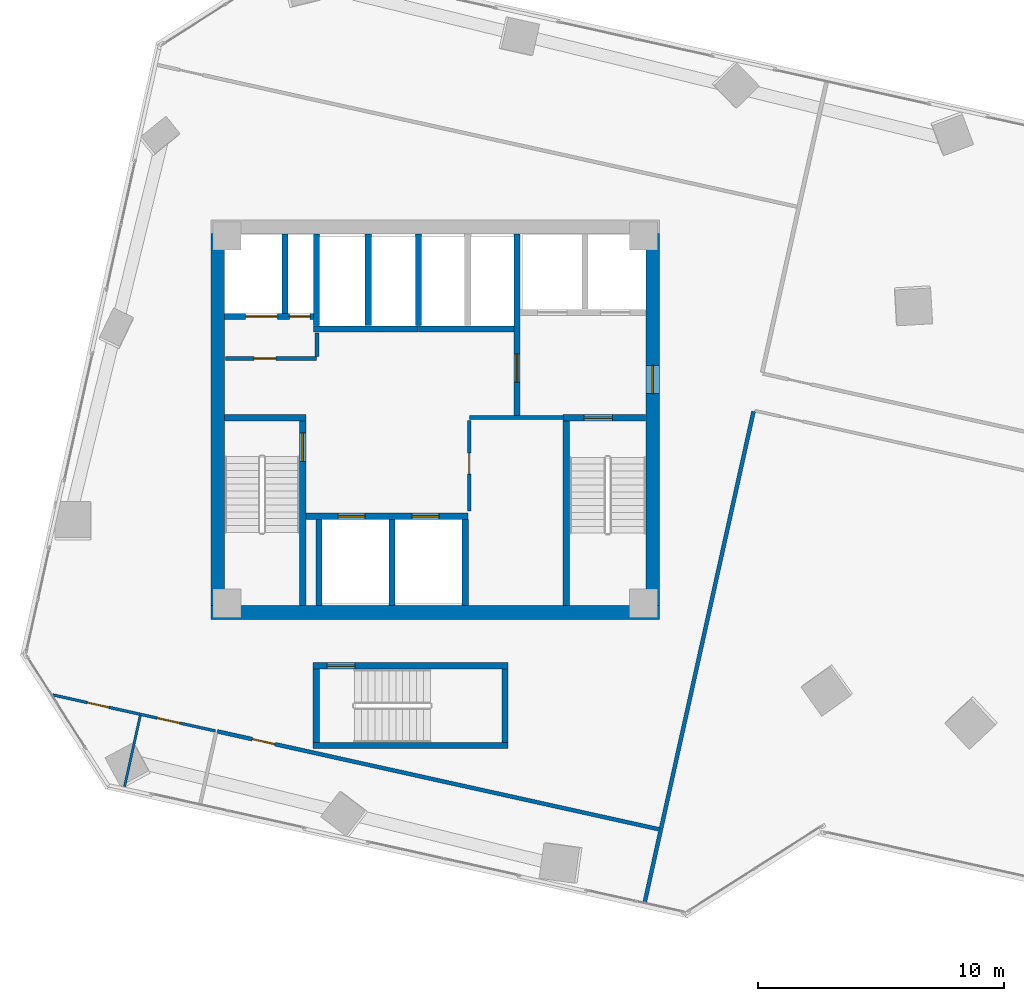
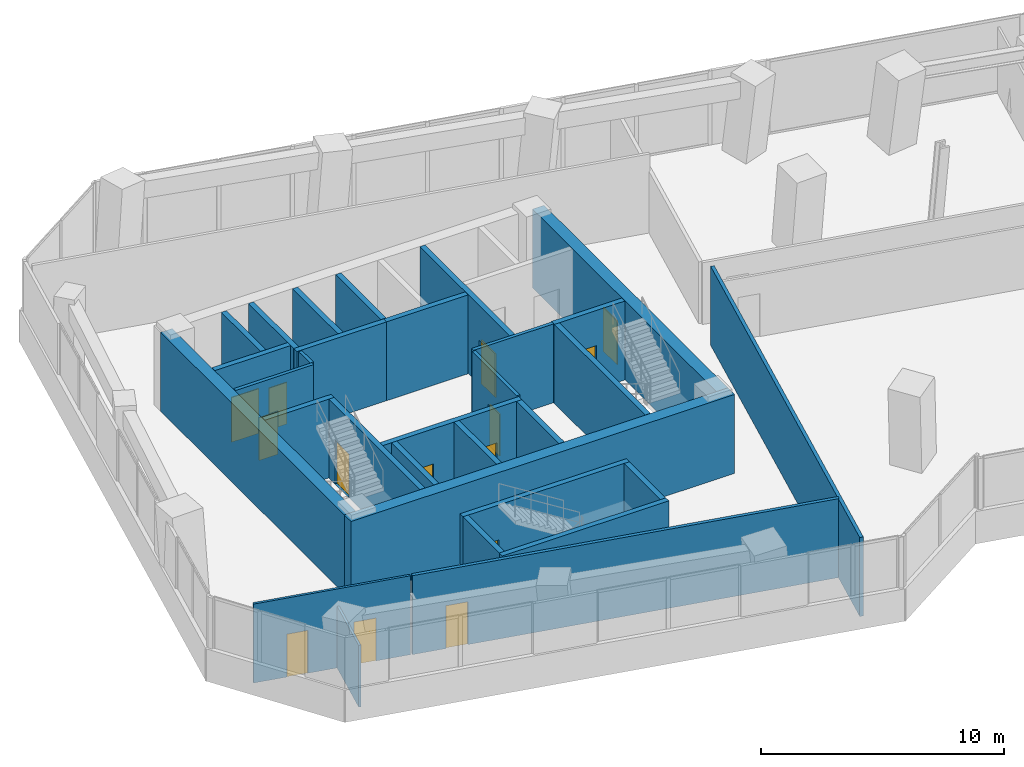
# One storey, part 20 of 25: 31 walls, 14 doors, 14 openings.
"""IFC4 building model written with IfcOpenShell, lengths in metres."""

from ifc_helpers import new_model, si_unit, direction, frame, frame_2d, origin, place, context, subcontext, project, spatial, rectangle, extrude, source, transform, mapped, material, layer, layer_set, type_object, element, fill, save


model = new_model("IFC4")

# Units and contexts
model_context = context("Model", 3, precision=1e-05, world=origin(), true_north=direction((0.0, 1.0)))
body_context = subcontext(model_context, "Body", "Model", "MODEL_VIEW")
ifc_project = project(units=[si_unit("LENGTHUNIT", "METRE"), si_unit("AREAUNIT", "SQUARE_METRE"), si_unit("VOLUMEUNIT", "CUBIC_METRE"), si_unit("PLANEANGLEUNIT", "RADIAN"), si_unit("MASSUNIT", "GRAM", prefix="KILO")], contexts=[model_context])

# Site, building, storey
site_placement = place(None, origin())
site = spatial("IfcSite", under=ifc_project, at=site_placement, CompositionType="ELEMENT")
building_placement = place(site_placement, origin())
building = spatial("IfcBuilding", under=site, at=building_placement, Name="Torre Montelarca", CompositionType="ELEMENT")
storey_placement = place(building_placement, frame((0.0, 0.0, 91.60009765625)))
storey = spatial("IfcBuildingStorey", under=building, at=storey_placement, Name="L20", CompositionType="ELEMENT", Elevation=91.60009765625)

# Wall, opening, door
ifc_material_1 = material(Name="Concrete C40/50", Category="concrete")
ifc_layer_1 = layer(ifc_material_1, 0.25, Name="Concrete C40/50", Category="concrete")
ifc_layer_set_1 = layer_set([ifc_layer_1], Name="Concrete C40/50")
wall_type_1 = type_object("IfcWallType", Name="CW-SHAFT-250", PredefinedType="SHEAR", material=ifc_layer_set_1)
wall_1_placement = place(storey_placement, frame((12.625, 24.4599609375, 0.0), z_axis=(0.0, 0.0, 1.0), x_axis=(0.0, 1.0, 0.0)))
wall_1 = element("IfcWall", 1, at=wall_1_placement, inside=storey, type_object=wall_type_1, Name="L20 Core Shear Wall SH-ST1-E", PredefinedType="SHEAR", context=body_context, shape_type="SweptSolid", body=[
    extrude(rectangle(XDim=7.489990234375, YDim=0.25, at=frame_2d((3.7451171875, 0.0))), origin(), (0.0, 0.0, 1.0), 3.9599609375),
])
opening_1_placement = place(wall_1_placement, frame((5.85009765625, 0.0, 0.0)))
opening_1 = element("IfcOpeningElement", 2, at=opening_1_placement, cuts=wall_1, Name="Opening FD-ST1", PredefinedType="OPENING", context=body_context, shape_type="SweptSolid", body=[
    extrude(rectangle(XDim=1.14990234375, YDim=2.199951171875, at=frame_2d((0.574951171875, 1.10009765625))), frame((0.0, 0.135009765625, 0.0), z_axis=(0.0, -1.0, 0.0), x_axis=(1.0, 0.0, 0.0)), (0.0, 0.0, 1.0), 0.27001953125),
])
ifc_material_2 = material(Name="Galvanized steel fire door", Category="steel")
door_type_1 = type_object("IfcDoorType", Name="DR-STAIR-115", OperationType="NOTDEFINED", PredefinedType="DOOR", material=ifc_material_2)
shared_shape_1 = source(origin(), body_context, "Body", "SweptSolid", [
    extrude(rectangle(XDim=1.14990234375, YDim=2.199951171875, at=frame_2d((0.574951171875, 1.10009765625))), frame((0.0, 0.02490234375, 0.0), z_axis=(0.0, -1.0, 0.0), x_axis=(1.0, 0.0, 0.0)), (0.0, 0.0, 1.0), 0.050048828125),
])
door_1_placement = place(opening_1_placement, origin())
door_1 = element("IfcDoor", 3, at=door_1_placement, inside=storey, type_object=door_type_1, Name="L20 Exit Stair ST1 Fire Door", OperationType="SINGLE_SWING_RIGHT", OverallHeight=2.199951171875, OverallWidth=1.14990234375, PredefinedType="DOOR", context=body_context, shape_type="MappedRepresentation", body=[
    mapped(shared_shape_1, transform((0.0, 0.0, 0.0), scale=1.0)),
])
fill(opening_1, door_1)

# Walls
wall_2_placement = place(storey_placement, frame((9.4599609375, 32.074951171875, 0.0), z_axis=(0.0, 0.0, 1.0), x_axis=(1.0, 0.0, 0.0)))
element("IfcWall", 4, at=wall_2_placement, inside=storey, type_object=wall_type_1, Name="L20 Core Shear Wall SH-ST1-N", PredefinedType="SHEAR", context=body_context, shape_type="SweptSolid", body=[
    extrude(rectangle(XDim=3.2900390625, YDim=0.25, at=frame_2d((1.64501953125, 0.0))), origin(), (0.0, 0.0, 1.0), 3.9599609375),
])
wall_3_placement = place(storey_placement, frame((23.31494140625, 24.4599609375, 0.0), z_axis=(0.0, 0.0, 1.0), x_axis=(0.0, 1.0, 0.0)))
element("IfcWall", 5, at=wall_3_placement, inside=storey, type_object=wall_type_1, Name="L20 Core Shear Wall SH-ST2-W", PredefinedType="SHEAR", context=body_context, shape_type="SweptSolid", body=[
    extrude(rectangle(XDim=7.489990234375, YDim=0.25, at=frame_2d((3.7451171875, 0.0))), origin(), (0.0, 0.0, 1.0), 3.9599609375),
])

# Wall, opening, door
wall_4_placement = place(storey_placement, frame((23.18994140625, 32.074951171875, 0.0), z_axis=(0.0, 0.0, 1.0), x_axis=(1.0, 0.0, 0.0)))
wall_4 = element("IfcWall", 6, at=wall_4_placement, inside=storey, type_object=wall_type_1, Name="L20 Core Shear Wall SH-ST2-N", PredefinedType="SHEAR", context=body_context, shape_type="SweptSolid", body=[
    extrude(rectangle(XDim=3.35009765625, YDim=0.25, at=frame_2d((1.675048828125, 0.0))), origin(), (0.0, 0.0, 1.0), 3.9599609375),
])
opening_2_placement = place(wall_4_placement, frame((0.85009765625, 0.0, 0.0)))
opening_2 = element("IfcOpeningElement", 7, at=opening_2_placement, cuts=wall_4, Name="Opening FD-ST1", PredefinedType="OPENING", context=body_context, shape_type="SweptSolid", body=[
    extrude(rectangle(XDim=1.14990234375, YDim=2.199951171875, at=frame_2d((0.574951171875, 1.10009765625))), frame((0.0, 0.135009765625, 0.0), z_axis=(0.0, -1.0, 0.0), x_axis=(1.0, 0.0, 0.0)), (0.0, 0.0, 1.0), 0.27001953125),
])
door_2_placement = place(opening_2_placement, origin())
door_2 = element("IfcDoor", 8, at=door_2_placement, inside=storey, type_object=door_type_1, Name="L20 Exit Stair ST2 Fire Door", OperationType="SINGLE_SWING_RIGHT", OverallHeight=2.199951171875, OverallWidth=1.14990234375, PredefinedType="DOOR", context=body_context, shape_type="MappedRepresentation", body=[
    mapped(shared_shape_1, transform((0.0, 0.0, 0.0), scale=1.0)),
])
fill(opening_2, door_2)

wall_5_placement = place(storey_placement, frame((21.320068359375, 32.1201171875, 0.0), z_axis=(0.0, 0.0, 1.0), x_axis=(0.0, 1.0, 0.0)))
wall_5 = element("IfcWall", 9, at=wall_5_placement, inside=storey, type_object=wall_type_1, Name="L20 Core Shear Wall SH-FFL-W", PredefinedType="SHEAR", context=body_context, shape_type="SweptSolid", body=[
    extrude(rectangle(XDim=7.419921875, YDim=0.25, at=frame_2d((3.7099609375, 0.0))), origin(), (0.0, 0.0, 1.0), 3.9599609375),
])
opening_3_placement = place(wall_5_placement, frame((1.39990234375, 0.0, 0.0)))
opening_3 = element("IfcOpeningElement", 10, at=opening_3_placement, cuts=wall_5, Name="Opening FD-LB1", PredefinedType="OPENING", context=body_context, shape_type="SweptSolid", body=[
    extrude(rectangle(XDim=1.14990234375, YDim=2.199951171875, at=frame_2d((0.574951171875, 1.10009765625))), frame((0.0, 0.135009765625, 0.0), z_axis=(0.0, -1.0, 0.0), x_axis=(1.0, 0.0, 0.0)), (0.0, 0.0, 1.0), 0.27001953125),
])
ifc_material_3 = material(Name="Acoustic timber-veneered fire door", Category="wood")
door_type_2 = type_object("IfcDoorType", Name="DR-LOBBY-115", OperationType="NOTDEFINED", PredefinedType="DOOR", material=ifc_material_3)
shared_shape_2 = source(origin(), body_context, "Body", "SweptSolid", [
    extrude(rectangle(XDim=1.14990234375, YDim=2.199951171875, at=frame_2d((0.574951171875, 1.10009765625))), frame((0.0, 0.02490234375, 0.0), z_axis=(0.0, -1.0, 0.0), x_axis=(1.0, 0.0, 0.0)), (0.0, 0.0, 1.0), 0.050048828125),
])
door_3_placement = place(opening_3_placement, origin())
door_3 = element("IfcDoor", 11, at=door_3_placement, inside=storey, type_object=door_type_2, Name="L20 Lift Lobby to Firefighting Lobby Smoke Door", OperationType="SINGLE_SWING_LEFT", OverallHeight=2.199951171875, OverallWidth=1.14990234375, PredefinedType="DOOR", context=body_context, shape_type="MappedRepresentation", body=[
    mapped(shared_shape_2, transform((0.0, 0.0, 0.0), scale=1.0)),
])
fill(opening_3, door_3)

# Wall, openings, doors
wall_6_placement = place(storey_placement, frame((9.4599609375, 36.179931640625, 0.0), z_axis=(0.0, 0.0, 1.0), x_axis=(1.0, 0.0, 0.0)))
wall_6 = element("IfcWall", 12, at=wall_6_placement, inside=storey, type_object=wall_type_1, Name="L20 Core Shear Wall SH-SV1-S", PredefinedType="SHEAR", context=body_context, shape_type="SweptSolid", body=[
    extrude(rectangle(XDim=3.7900390625, YDim=0.25, at=frame_2d((1.89501953125, 0.0))), origin(), (0.0, 0.0, 1.0), 3.9599609375),
])
opening_4_placement = place(wall_6_placement, frame((2.6201171875, 0.0, 0.0)))
opening_4 = element("IfcOpeningElement", 13, at=opening_4_placement, cuts=wall_6, Name="Opening FD-085", PredefinedType="OPENING", context=body_context, shape_type="SweptSolid", body=[
    extrude(rectangle(XDim=0.85009765625, YDim=2.10009765625, at=frame_2d((0.425048828125, 1.050048828125))), frame((0.0, 0.135009765625, 0.0), z_axis=(0.0, -1.0, 0.0), x_axis=(1.0, 0.0, 0.0)), (0.0, 0.0, 1.0), 0.27001953125),
])
opening_5_placement = place(wall_6_placement, frame((0.85009765625, 0.0, 0.0)))
opening_5 = element("IfcOpeningElement", 14, at=opening_5_placement, cuts=wall_6, Name="Opening LD-130", PredefinedType="OPENING", context=body_context, shape_type="SweptSolid", body=[
    extrude(rectangle(XDim=1.300048828125, YDim=2.25, at=frame_2d((0.64990234375, 1.125))), frame((0.0, 0.135009765625, 0.0), z_axis=(0.0, -1.0, 0.0), x_axis=(1.0, 0.0, 0.0)), (0.0, 0.0, 1.0), 0.27001953125),
])
ifc_material_4 = material(Name="Steel riser access fire door", Category="steel")
door_type_3 = type_object("IfcDoorType", Name="DR-RISER-085", OperationType="NOTDEFINED", PredefinedType="DOOR", material=ifc_material_4)
shared_shape_3 = source(origin(), body_context, "Body", "SweptSolid", [
    extrude(rectangle(XDim=0.85009765625, YDim=2.10009765625, at=frame_2d((0.425048828125, 1.050048828125))), frame((0.0, 0.02490234375, 0.0), z_axis=(0.0, -1.0, 0.0), x_axis=(1.0, 0.0, 0.0)), (0.0, 0.0, 1.0), 0.050048828125),
])
door_4_placement = place(opening_4_placement, origin())
door_4 = element("IfcDoor", 15, at=door_4_placement, inside=storey, type_object=door_type_3, Name="L20 Electrical Riser Shaft Access Door", OperationType="SINGLE_SWING_RIGHT", OverallHeight=2.10009765625, OverallWidth=0.85009765625, PredefinedType="DOOR", context=body_context, shape_type="MappedRepresentation", body=[
    mapped(shared_shape_3, transform((0.0, 0.0, 0.0), scale=1.0)),
])
fill(opening_4, door_4)
ifc_material_5 = material(Name="Brushed stainless steel AISI 316", Category="steel")
door_type_4 = type_object("IfcDoorType", Name="DR-LIFT-130", OperationType="SLIDING_TO_LEFT", PredefinedType="DOOR", material=ifc_material_5)
shared_shape_4 = source(origin(), body_context, "Body", "SweptSolid", [
    extrude(rectangle(XDim=1.300048828125, YDim=2.25, at=frame_2d((0.64990234375, 1.125))), frame((0.0, 0.02490234375, 0.0), z_axis=(0.0, -1.0, 0.0), x_axis=(1.0, 0.0, 0.0)), (0.0, 0.0, 1.0), 0.050048828125),
])
door_5_placement = place(opening_5_placement, origin())
door_5 = element("IfcDoor", 16, at=door_5_placement, inside=storey, type_object=door_type_4, Name="L20 Lift Landing Sliding Door SV-1", OperationType="SLIDING_TO_LEFT", OverallHeight=2.25, OverallWidth=1.300048828125, PredefinedType="DOOR", context=body_context, shape_type="MappedRepresentation", body=[
    mapped(shared_shape_4, transform((0.0, 0.0, 0.0), scale=1.0)),
])
fill(opening_5, door_5)

# Wall
wall_7_placement = place(storey_placement, frame((11.89990234375, 36.31005859375, 0.0), z_axis=(0.0, 0.0, 1.0), x_axis=(0.0, 1.0, 0.0)))
element("IfcWall", 17, at=wall_7_placement, inside=storey, type_object=wall_type_1, Name="L20 Core Shear Wall SH-SV1-E", PredefinedType="SHEAR", context=body_context, shape_type="SweptSolid", body=[
    extrude(rectangle(XDim=3.22998046875, YDim=0.25, at=frame_2d((1.614990234375, 0.0))), origin(), (0.0, 0.0, 1.0), 3.9599609375),
])

# Wall, openings, doors
wall_8_placement = place(storey_placement, frame((12.6298828125, 28.080078125, 0.0), z_axis=(0.0, 0.0, 1.0), x_axis=(1.0, 0.0, 0.0)))
wall_8 = element("IfcWall", 18, at=wall_8_placement, inside=storey, type_object=wall_type_1, Name="L20 Core Shear Wall SH-PLL-N", PredefinedType="SHEAR", context=body_context, shape_type="SweptSolid", body=[
    extrude(rectangle(XDim=6.710205078125, YDim=0.25, at=frame_2d((3.35498046875, 0.0))), origin(), (0.0, 0.0, 1.0), 3.9599609375),
])
opening_6_placement = place(wall_8_placement, frame((1.429931640625, 0.0, 0.0)))
opening_6 = element("IfcOpeningElement", 19, at=opening_6_placement, cuts=wall_8, Name="Opening LD-110", PredefinedType="OPENING", context=body_context, shape_type="SweptSolid", body=[
    extrude(rectangle(XDim=1.10009765625, YDim=2.199951171875, at=frame_2d((0.550048828125, 1.10009765625))), frame((0.0, 0.135009765625, 0.0), z_axis=(0.0, -1.0, 0.0), x_axis=(1.0, 0.0, 0.0)), (0.0, 0.0, 1.0), 0.27001953125),
])
opening_7_placement = place(wall_8_placement, frame((4.429931640625, 0.0, 0.0)))
opening_7 = element("IfcOpeningElement", 20, at=opening_7_placement, cuts=wall_8, Name="Opening LD-110", PredefinedType="OPENING", context=body_context, shape_type="SweptSolid", body=[
    extrude(rectangle(XDim=1.10009765625, YDim=2.199951171875, at=frame_2d((0.550048828125, 1.10009765625))), frame((0.0, 0.135009765625, 0.0), z_axis=(0.0, -1.0, 0.0), x_axis=(1.0, 0.0, 0.0)), (0.0, 0.0, 1.0), 0.27001953125),
])
door_type_5 = type_object("IfcDoorType", Name="DR-LIFT-110", OperationType="SLIDING_TO_LEFT", PredefinedType="DOOR", material=ifc_material_5)
shared_shape_5 = source(origin(), body_context, "Body", "SweptSolid", [
    extrude(rectangle(XDim=1.10009765625, YDim=2.199951171875, at=frame_2d((0.550048828125, 1.10009765625))), frame((0.0, 0.02490234375, 0.0), z_axis=(0.0, -1.0, 0.0), x_axis=(1.0, 0.0, 0.0)), (0.0, 0.0, 1.0), 0.050048828125),
])
door_6_placement = place(opening_6_placement, origin())
door_6 = element("IfcDoor", 21, at=door_6_placement, inside=storey, type_object=door_type_5, Name="L20 Lift Landing Sliding Door PL-L1", OperationType="SLIDING_TO_LEFT", OverallHeight=2.199951171875, OverallWidth=1.10009765625, PredefinedType="DOOR", context=body_context, shape_type="MappedRepresentation", body=[
    mapped(shared_shape_5, transform((0.0, 0.0, 0.0), scale=1.0)),
])
fill(opening_6, door_6)
door_7_placement = place(opening_7_placement, origin())
door_7 = element("IfcDoor", 22, at=door_7_placement, inside=storey, type_object=door_type_5, Name="L20 Lift Landing Sliding Door PL-L2", OperationType="SLIDING_TO_RIGHT", OverallHeight=2.199951171875, OverallWidth=1.10009765625, PredefinedType="DOOR", context=body_context, shape_type="MappedRepresentation", body=[
    mapped(shared_shape_5, transform((0.0, 0.0, 0.0), scale=1.0)),
])
fill(opening_7, door_7)

# Walls
for number, where, z_axis, x_axis, name in (
    (23, (13.280029296875, 24.4599609375, 0.0), (0.0, 0.0, 1.0), (0.0, 1.0, 0.0), "L20 Core Shear Wall SH-PLL-W"),
    (24, (16.25, 24.4599609375, 0.0), (0.0, 0.0, 1.0), (0.0, 1.0, 0.0), "L20 Core Shear Wall SH-PLL-M"),
    (25, (19.219970703125, 24.4599609375, 0.0), (0.0, 0.0, 1.0), (0.0, 1.0, 0.0), "L20 Core Shear Wall SH-PLL-E"),
):
    element("IfcWall", number, at=place(storey_placement, frame(where, z_axis=z_axis, x_axis=x_axis)), inside=storey, type_object=wall_type_1, Name=name, PredefinedType="SHEAR", context=body_context, shape_type="SweptSolid", body=[
        extrude(rectangle(XDim=3.489990234375, YDim=0.25, at=frame_2d((1.7451171875, 0.0))), origin(), (0.0, 0.0, 1.0), 3.9599609375),
    ])
wall_9_placement = place(storey_placement, frame((13.06005859375, 35.679931640625, 0.0), z_axis=(0.0, 0.0, 1.0), x_axis=(1.0, 0.0, 0.0)))
element("IfcWall", 26, at=wall_9_placement, inside=storey, type_object=wall_type_1, Name="L20 Core Shear Wall SH-PLM-S", PredefinedType="SHEAR", context=body_context, shape_type="SweptSolid", body=[
    extrude(rectangle(XDim=4.25, YDim=0.25, at=frame_2d((2.125, 0.0))), origin(), (0.0, 0.0, 1.0), 3.9599609375),
])
for number, where, z_axis, x_axis, name in (
    (27, (13.179931640625, 35.81005859375, 0.0), (0.0, 0.0, 1.0), (0.0, 1.0, 0.0), "L20 Core Shear Wall SH-PLM-W"),
    (28, (15.280029296875, 35.81005859375, 0.0), (0.0, 0.0, 1.0), (0.0, 1.0, 0.0), "L20 Core Shear Wall SH-PLM-M"),
):
    element("IfcWall", number, at=place(storey_placement, frame(where, z_axis=z_axis, x_axis=x_axis)), inside=storey, type_object=wall_type_1, Name=name, PredefinedType="SHEAR", context=body_context, shape_type="SweptSolid", body=[
        extrude(rectangle(XDim=3.72998046875, YDim=0.25, at=frame_2d((1.864990234375, 0.0))), origin(), (0.0, 0.0, 1.0), 3.9599609375),
    ])
wall_10_placement = place(storey_placement, frame((17.320068359375, 35.679931640625, 0.0), z_axis=(0.0, 0.0, 1.0), x_axis=(1.0, 0.0, 0.0)))
element("IfcWall", 29, at=wall_10_placement, inside=storey, type_object=wall_type_1, Name="L20 Core Shear Wall SH-PLH-S", PredefinedType="SHEAR", context=body_context, shape_type="SweptSolid", body=[
    extrude(rectangle(XDim=3.869873046875, YDim=0.25, at=frame_2d((1.93505859375, 0.0))), origin(), (0.0, 0.0, 1.0), 3.9599609375),
])
wall_11_placement = place(storey_placement, frame((17.320068359375, 35.81005859375, 0.0), z_axis=(0.0, 0.0, 1.0), x_axis=(0.0, 1.0, 0.0)))
element("IfcWall", 30, at=wall_11_placement, inside=storey, type_object=wall_type_1, Name="L20 Core Shear Wall SH-PLH-W", PredefinedType="SHEAR", context=body_context, shape_type="SweptSolid", body=[
    extrude(rectangle(XDim=3.72998046875, YDim=0.25, at=frame_2d((1.864990234375, 0.0))), origin(), (0.0, 0.0, 1.0), 3.9599609375),
])
for number, where, z_axis, x_axis, name in (
    (31, (13.175048828125, 18.89990234375, 0.0), (0.0, 0.0, 1.0), (0.0, 1.0, 0.0), "L20 Core Shear Wall SH-ST3-W"),
    (32, (20.824951171875, 18.89990234375, 0.0), (0.0, 0.0, 1.0), (0.0, 1.0, 0.0), "L20 Core Shear Wall SH-ST3-E"),
):
    element("IfcWall", number, at=place(storey_placement, frame(where, z_axis=z_axis, x_axis=x_axis)), inside=storey, type_object=wall_type_1, Name=name, PredefinedType="SHEAR", context=body_context, shape_type="SweptSolid", body=[
        extrude(rectangle(XDim=2.989990234375, YDim=0.25, at=frame_2d((1.4951171875, 0.0))), origin(), (0.0, 0.0, 1.0), 3.9599609375),
    ])
wall_12_placement = place(storey_placement, frame((13.050048828125, 18.77490234375, 0.0), z_axis=(0.0, 0.0, 1.0), x_axis=(1.0, 0.0, 0.0)))
element("IfcWall", 33, at=wall_12_placement, inside=storey, type_object=wall_type_1, Name="L20 Core Shear Wall SH-ST3-S", PredefinedType="SHEAR", context=body_context, shape_type="SweptSolid", body=[
    extrude(rectangle(XDim=7.89990234375, YDim=0.25, at=frame_2d((3.949951171875, 0.0))), origin(), (0.0, 0.0, 1.0), 3.9599609375),
])

# Wall, opening, door
wall_13_placement = place(storey_placement, frame((13.050048828125, 22.014892578125, 0.0), z_axis=(0.0, 0.0, 1.0), x_axis=(1.0, 0.0, 0.0)))
wall_13 = element("IfcWall", 34, at=wall_13_placement, inside=storey, type_object=wall_type_1, Name="L20 Core Shear Wall SH-ST3-N", PredefinedType="SHEAR", context=body_context, shape_type="SweptSolid", body=[
    extrude(rectangle(XDim=7.89990234375, YDim=0.25, at=frame_2d((3.949951171875, 0.0))), origin(), (0.0, 0.0, 1.0), 3.9599609375),
])
opening_8_placement = place(wall_13_placement, frame((0.550048828125, 0.0, 0.0)))
opening_8 = element("IfcOpeningElement", 35, at=opening_8_placement, cuts=wall_13, Name="Opening FD-ST1", PredefinedType="OPENING", context=body_context, shape_type="SweptSolid", body=[
    extrude(rectangle(XDim=1.14990234375, YDim=2.199951171875, at=frame_2d((0.574951171875, 1.10009765625))), frame((0.0, 0.135009765625, 0.0), z_axis=(0.0, -1.0, 0.0), x_axis=(1.0, 0.0, 0.0)), (0.0, 0.0, 1.0), 0.27001953125),
])
door_8_placement = place(opening_8_placement, origin())
door_8 = element("IfcDoor", 36, at=door_8_placement, inside=storey, type_object=door_type_1, Name="L20 Exit Stair ST3 Fire Door", OperationType="SINGLE_SWING_LEFT", OverallHeight=2.199951171875, OverallWidth=1.14990234375, PredefinedType="DOOR", context=body_context, shape_type="MappedRepresentation", body=[
    mapped(shared_shape_1, transform((0.0, 0.0, 0.0), scale=1.0)),
])
fill(opening_8, door_8)

# Wall
ifc_material_6 = material(Name="Concrete C70/85", Category="concrete")
ifc_layer_2 = layer(ifc_material_6, 0.550048828125, Name="Concrete C70/85", Category="concrete")
ifc_layer_set_2 = layer_set([ifc_layer_2], Name="Concrete C70/85")
wall_type_2 = type_object("IfcWallType", Name="CW-SHEAR-550", PredefinedType="SHEAR", material=ifc_layer_set_2)
wall_14_placement = place(storey_placement, frame((9.175048828125, 24.449951171875, 0.0), z_axis=(0.0, 0.0, 1.0), x_axis=(0.0, 1.0, 0.0)))
element("IfcWall", 37, at=wall_14_placement, inside=storey, type_object=wall_type_2, Name="L20 Core Shear Wall CW-W", PredefinedType="SHEAR", context=body_context, shape_type="SweptSolid", body=[
    extrude(rectangle(XDim=15.10009765625, YDim=0.550048828125, at=frame_2d((7.550048828125, 0.0))), origin(), (0.0, 0.0, 1.0), 3.9599609375),
])

# Wall, opening, door
wall_15_placement = place(storey_placement, frame((26.824951171875, 24.449951171875, 0.0), z_axis=(0.0, 0.0, 1.0), x_axis=(0.0, 1.0, 0.0)))
wall_15 = element("IfcWall", 38, at=wall_15_placement, inside=storey, type_object=wall_type_2, Name="L20 Core Shear Wall CW-E", PredefinedType="SHEAR", context=body_context, shape_type="SweptSolid", body=[
    extrude(rectangle(XDim=15.10009765625, YDim=0.550048828125, at=frame_2d((7.550048828125, 0.0))), origin(), (0.0, 0.0, 1.0), 3.9599609375),
])
opening_9_placement = place(wall_15_placement, frame((8.60009765625, 0.0, 0.0)))
opening_9 = element("IfcOpeningElement", 39, at=opening_9_placement, cuts=wall_15, Name="Opening FD-LB1", PredefinedType="OPENING", context=body_context, shape_type="SweptSolid", body=[
    extrude(rectangle(XDim=1.14990234375, YDim=2.199951171875, at=frame_2d((0.574951171875, 1.10009765625))), frame((0.0, 0.28515625, 0.0), z_axis=(0.0, -1.0, 0.0), x_axis=(1.0, 0.0, 0.0)), (0.0, 0.0, 1.0), 0.570068359375),
])
door_9_placement = place(opening_9_placement, origin())
door_9 = element("IfcDoor", 40, at=door_9_placement, inside=storey, type_object=door_type_2, Name="L20 Firefighting Lift Lobby Corridor Fire Door", OperationType="SINGLE_SWING_RIGHT", OverallHeight=2.199951171875, OverallWidth=1.14990234375, PredefinedType="DOOR", context=body_context, shape_type="MappedRepresentation", body=[
    mapped(shared_shape_2, transform((0.0, 0.0, 0.0), scale=1.0)),
])
fill(opening_9, door_9)

# Wall
wall_16_placement = place(storey_placement, frame((8.89990234375, 24.175048828125, 0.0), z_axis=(0.0, 0.0, 1.0), x_axis=(1.0, 0.0, 0.0)))
element("IfcWall", 41, at=wall_16_placement, inside=storey, type_object=wall_type_2, Name="L20 Core Shear Wall CW-S1", PredefinedType="SHEAR", context=body_context, shape_type="SweptSolid", body=[
    extrude(rectangle(XDim=18.2001953125, YDim=0.550048828125, at=frame_2d((9.10009765625, 0.0))), origin(), (0.0, 0.0, 1.0), 3.9599609375),
])

# Wall, opening, door
ifc_material_7 = material(Name="Gypsum plasterboard on steel stud", Category="steel")
ifc_layer_3 = layer(ifc_material_7, 0.159912109375, Name="Gypsum plasterboard on steel stud", Category="steel")
ifc_layer_set_3 = layer_set([ifc_layer_3], Name="Gypsum plasterboard on steel stud")
wall_type_3 = type_object("IfcWallType", Name="PW-FIRE-160", PredefinedType="PARTITIONING", material=ifc_layer_set_3)
wall_17_placement = place(storey_placement, frame((9.489990234375, 34.47998046875, 0.0), z_axis=(0.0, 0.0, 1.0), x_axis=(1.0, 0.0, 0.0)))
wall_17 = element("IfcWall", 42, at=wall_17_placement, inside=storey, type_object=wall_type_3, Name="L20 Interior Partition CW-L20-SVS", PredefinedType="PARTITIONING", context=body_context, shape_type="SweptSolid", body=[
    extrude(rectangle(XDim=3.699951171875, YDim=0.159912109375, at=frame_2d((1.85009765625, 0.0))), origin(), (0.0, 0.0, 1.0), 3.9599609375),
])
opening_10_placement = place(wall_17_placement, frame((1.14990234375, 0.0, 0.0)))
opening_10 = element("IfcOpeningElement", 43, at=opening_10_placement, cuts=wall_17, Name="Opening FD-090", PredefinedType="OPENING", context=body_context, shape_type="SweptSolid", body=[
    extrude(rectangle(XDim=0.89990234375, YDim=2.14990234375, at=frame_2d((0.449951171875, 1.074951171875))), frame((0.0, 0.08984375, 0.0), z_axis=(0.0, -1.0, 0.0), x_axis=(1.0, 0.0, 0.0)), (0.0, 0.0, 1.0), 0.179931640625),
])
ifc_material_8 = material(Name="Steel service fire door", Category="steel")
door_type_6 = type_object("IfcDoorType", Name="DR-FIRE-090", OperationType="NOTDEFINED", PredefinedType="DOOR", material=ifc_material_8)
shared_shape_6 = source(origin(), body_context, "Body", "SweptSolid", [
    extrude(rectangle(XDim=0.89990234375, YDim=2.14990234375, at=frame_2d((0.449951171875, 1.074951171875))), frame((0.0, 0.02490234375, 0.0), z_axis=(0.0, -1.0, 0.0), x_axis=(1.0, 0.0, 0.0)), (0.0, 0.0, 1.0), 0.050048828125),
])
door_10_placement = place(opening_10_placement, origin())
door_10 = element("IfcDoor", 44, at=door_10_placement, inside=storey, type_object=door_type_6, Name="L20 Interior Door 01", OperationType="SINGLE_SWING_RIGHT", OverallHeight=2.14990234375, OverallWidth=0.89990234375, PredefinedType="DOOR", context=body_context, shape_type="MappedRepresentation", body=[
    mapped(shared_shape_6, transform((0.0, 0.0, 0.0), scale=1.0)),
])
fill(opening_10, door_10)

# Walls
wall_18_placement = place(storey_placement, frame((13.199951171875, 34.570068359375, 0.0), z_axis=(0.0, 0.0, 1.0), x_axis=(0.0, 1.0, 0.0)))
element("IfcWall", 45, at=wall_18_placement, inside=storey, type_object=wall_type_3, Name="L20 Interior Partition CW-L20-SVE", PredefinedType="PARTITIONING", context=body_context, shape_type="SweptSolid", body=[
    extrude(rectangle(XDim=0.93994140625, YDim=0.159912109375, at=frame_2d((0.469970703125, 0.0))), origin(), (0.0, 0.0, 1.0), 3.9599609375),
])
wall_19_placement = place(storey_placement, frame((19.389892578125, 32.080078125, 0.0), z_axis=(0.0, 0.0, 1.0), x_axis=(1.0, 0.0, 0.0)))
element("IfcWall", 46, at=wall_19_placement, inside=storey, type_object=wall_type_3, Name="L20 Interior Partition CW-L20-SEN", PredefinedType="PARTITIONING", context=body_context, shape_type="SweptSolid", body=[
    extrude(rectangle(XDim=3.820068359375, YDim=0.159912109375, at=frame_2d((1.91015625, 0.0))), origin(), (0.0, 0.0, 1.0), 3.9599609375),
])

# Wall, opening, door
wall_20_placement = place(storey_placement, frame((19.3798828125, 28.2900390625, 0.0), z_axis=(0.0, 0.0, 1.0), x_axis=(0.0, 1.0, 0.0)))
wall_20 = element("IfcWall", 47, at=wall_20_placement, inside=storey, type_object=wall_type_3, Name="L20 Interior Partition CW-L20-SEW", PredefinedType="PARTITIONING", context=body_context, shape_type="SweptSolid", body=[
    extrude(rectangle(XDim=3.669921875, YDim=0.159912109375, at=frame_2d((1.8349609375, 0.0))), origin(), (0.0, 0.0, 1.0), 3.9599609375),
])
opening_11_placement = place(wall_20_placement, frame((1.5, 0.0, 0.0)))
opening_11 = element("IfcOpeningElement", 48, at=opening_11_placement, cuts=wall_20, Name="Opening FD-085", PredefinedType="OPENING", context=body_context, shape_type="SweptSolid", body=[
    extrude(rectangle(XDim=0.85009765625, YDim=2.10009765625, at=frame_2d((0.425048828125, 1.050048828125))), frame((0.0, 0.08984375, 0.0), z_axis=(0.0, -1.0, 0.0), x_axis=(1.0, 0.0, 0.0)), (0.0, 0.0, 1.0), 0.179931640625),
])
door_11_placement = place(opening_11_placement, origin())
door_11 = element("IfcDoor", 49, at=door_11_placement, inside=storey, type_object=door_type_3, Name="L20 Interior Door 02", OperationType="SINGLE_SWING_RIGHT", OverallHeight=2.10009765625, OverallWidth=0.85009765625, PredefinedType="DOOR", context=body_context, shape_type="MappedRepresentation", body=[
    mapped(shared_shape_3, transform((0.0, 0.0, 0.0), scale=1.0)),
])
fill(opening_11, door_11)

wall_21_placement = place(storey_placement, frame((9.159912109375, 19.35107421875, 0.0), z_axis=(0.0, 0.0, 1.0), x_axis=(0.97629657883, -0.216437035106, 0.0)))
wall_21 = element("IfcWall", 50, at=wall_21_placement, inside=storey, type_object=wall_type_3, Name="L20 Interior Partition W-L20-SOCCN", PredefinedType="PARTITIONING", context=body_context, shape_type="SweptSolid", body=[
    extrude(rectangle(XDim=18.3896484375, YDim=0.159912109375, at=frame_2d((9.19482421875, 0.0))), origin(), (0.0, 0.0, 1.0), 3.9599609375),
])
opening_12_placement = place(wall_21_placement, frame((1.449951171875, 0.0, 0.0)))
opening_12 = element("IfcOpeningElement", 51, at=opening_12_placement, cuts=wall_21, Name="Opening FD-095", PredefinedType="OPENING", context=body_context, shape_type="SweptSolid", body=[
    extrude(rectangle(XDim=0.949951171875, YDim=2.14990234375, at=frame_2d((0.47509765625, 1.074951171875))), frame((0.0, 0.08984375, 0.0), z_axis=(0.0, -1.0, 0.0), x_axis=(1.0, 0.0, 0.0)), (0.0, 0.0, 1.0), 0.179931640625),
])
ifc_material_9 = material(Name="Timber fire-rated room door", Category="wood")
door_type_7 = type_object("IfcDoorType", Name="DR-FIRE-095", OperationType="NOTDEFINED", PredefinedType="DOOR", material=ifc_material_9)
shared_shape_7 = source(origin(), body_context, "Body", "SweptSolid", [
    extrude(rectangle(XDim=0.949951171875, YDim=2.14990234375, at=frame_2d((0.47509765625, 1.074951171875))), frame((0.0, 0.02490234375, 0.0), z_axis=(0.0, -1.0, 0.0), x_axis=(1.0, 0.0, 0.0)), (0.0, 0.0, 1.0), 0.050048828125),
])
door_12_placement = place(opening_12_placement, origin())
door_12 = element("IfcDoor", 52, at=door_12_placement, inside=storey, type_object=door_type_7, Name="L20 Interior Door 05", OperationType="SINGLE_SWING_RIGHT", OverallHeight=2.14990234375, OverallWidth=0.949951171875, PredefinedType="DOOR", context=body_context, shape_type="MappedRepresentation", body=[
    mapped(shared_shape_7, transform((0.0, 0.0, 0.0), scale=1.0)),
])
fill(opening_12, door_12)

# Walls
wall_22_placement = place(storey_placement, frame((26.503662109375, 12.433349609375, 0.0), z_axis=(0.0, 0.0, 1.0), x_axis=(0.216434476574, 0.976297146032, 0.0)))
element("IfcWall", 53, at=wall_22_placement, inside=storey, type_object=wall_type_3, Name="L20 Interior Partition W-L20-ECS", PredefinedType="PARTITIONING", context=body_context, shape_type="SweptSolid", body=[
    extrude(rectangle(XDim=20.3798828125, YDim=0.159912109375, at=frame_2d((10.18994140625, 0.0))), origin(), (0.0, 0.0, 1.0), 3.9599609375),
])
ifc_material_10 = material(Name="Acoustic laminated glass partition", Category="glass")
ifc_layer_4 = layer(ifc_material_10, 0.10009765625, Name="Acoustic laminated glass partition", Category="glass")
ifc_layer_set_4 = layer_set([ifc_layer_4], Name="Acoustic laminated glass partition")
wall_type_4 = type_object("IfcWallType", Name="PW-GLAZ-100", PredefinedType="PARTITIONING", material=ifc_layer_set_4)
wall_23_placement = place(storey_placement, frame((5.39599609375, 17.11279296875, 0.0), z_axis=(0.0, 0.0, 1.0), x_axis=(0.216441341477, 0.976295624132, 0.0)))
element("IfcWall", 54, at=wall_23_placement, inside=storey, type_object=wall_type_4, Name="L20 Interior Partition W-L20-WCD", PredefinedType="PARTITIONING", context=body_context, shape_type="SweptSolid", body=[
    extrude(rectangle(XDim=2.959716796875, YDim=0.10009765625, at=frame_2d((1.47998046875, 0.0))), origin(), (0.0, 0.0, 1.0), 3.094970703125),
])

# Wall, openings, doors
ifc_layer_5 = layer(ifc_material_7, 0.114990234375, Name="Gypsum plasterboard on steel stud", Category="steel")
ifc_layer_set_5 = layer_set([ifc_layer_5], Name="Gypsum plasterboard on steel stud")
wall_type_5 = type_object("IfcWallType", Name="PW-PART-115", PredefinedType="PARTITIONING", material=ifc_layer_set_5)
wall_24_placement = place(storey_placement, frame((2.48974609375, 20.829833984375, 0.0), z_axis=(0.0, 0.0, 1.0), x_axis=(0.976294141914, -0.216448027167, 0.0)))
wall_24 = element("IfcWall", 55, at=wall_24_placement, inside=storey, type_object=wall_type_5, Name="L20 Interior Partition W-L20-WCN", PredefinedType="PARTITIONING", context=body_context, shape_type="SweptSolid", body=[
    extrude(rectangle(XDim=6.751953125, YDim=0.114990234375, at=frame_2d((3.3759765625, 0.0))), origin(), (0.0, 0.0, 1.0), 3.9599609375),
])
opening_13_placement = place(wall_24_placement, frame((1.429931640625, 0.0, 0.0)))
opening_13 = element("IfcOpeningElement", 56, at=opening_13_placement, cuts=wall_24, Name="Opening ID-090", PredefinedType="OPENING", context=body_context, shape_type="SweptSolid", body=[
    extrude(rectangle(XDim=0.89990234375, YDim=2.14990234375, at=frame_2d((0.449951171875, 1.074951171875))), frame((0.0, 0.0673828125, 0.0), z_axis=(0.0, -1.0, 0.0), x_axis=(1.0, 0.0, 0.0)), (0.0, 0.0, 1.0), 0.135009765625),
])
opening_14_placement = place(wall_24_placement, frame((4.330078125, 0.0, 0.0)))
opening_14 = element("IfcOpeningElement", 57, at=opening_14_placement, cuts=wall_24, Name="Opening ID-095", PredefinedType="OPENING", context=body_context, shape_type="SweptSolid", body=[
    extrude(rectangle(XDim=0.949951171875, YDim=2.14990234375, at=frame_2d((0.47509765625, 1.074951171875))), frame((0.0, 0.0673828125, 0.0), z_axis=(0.0, -1.0, 0.0), x_axis=(1.0, 0.0, 0.0)), (0.0, 0.0, 1.0), 0.135009765625),
])
ifc_material_11 = material(Name="Hardwood acoustic timber veneer", Category="wood")
door_type_8 = type_object("IfcDoorType", Name="DR-INT-090", OperationType="NOTDEFINED", PredefinedType="DOOR", material=ifc_material_11)
shared_shape_8 = source(origin(), body_context, "Body", "SweptSolid", [
    extrude(rectangle(XDim=0.89990234375, YDim=2.14990234375, at=frame_2d((0.449951171875, 1.074951171875))), frame((0.0, 0.02490234375, 0.0), z_axis=(0.0, -1.0, 0.0), x_axis=(1.0, 0.0, 0.0)), (0.0, 0.0, 1.0), 0.050048828125),
])
door_13_placement = place(opening_13_placement, origin())
door_13 = element("IfcDoor", 58, at=door_13_placement, inside=storey, type_object=door_type_8, Name="L20 Interior Door 03", OperationType="SINGLE_SWING_LEFT", OverallHeight=2.14990234375, OverallWidth=0.89990234375, PredefinedType="DOOR", context=body_context, shape_type="MappedRepresentation", body=[
    mapped(shared_shape_8, transform((0.0, 0.0, 0.0), scale=1.0)),
])
fill(opening_13, door_13)
door_type_9 = type_object("IfcDoorType", Name="DR-INT-095", OperationType="NOTDEFINED", PredefinedType="DOOR", material=ifc_material_11)
shared_shape_9 = source(origin(), body_context, "Body", "SweptSolid", [
    extrude(rectangle(XDim=0.949951171875, YDim=2.14990234375, at=frame_2d((0.47509765625, 1.074951171875))), frame((0.0, 0.02490234375, 0.0), z_axis=(0.0, -1.0, 0.0), x_axis=(1.0, 0.0, 0.0)), (0.0, 0.0, 1.0), 0.050048828125),
])
door_14_placement = place(opening_14_placement, origin())
door_14 = element("IfcDoor", 59, at=door_14_placement, inside=storey, type_object=door_type_9, Name="L20 Interior Door 04", OperationType="SINGLE_SWING_RIGHT", OverallHeight=2.14990234375, OverallWidth=0.949951171875, PredefinedType="DOOR", context=body_context, shape_type="MappedRepresentation", body=[
    mapped(shared_shape_9, transform((0.0, 0.0, 0.0), scale=1.0)),
])
fill(opening_14, door_14)

save(model, "model.ifc")
